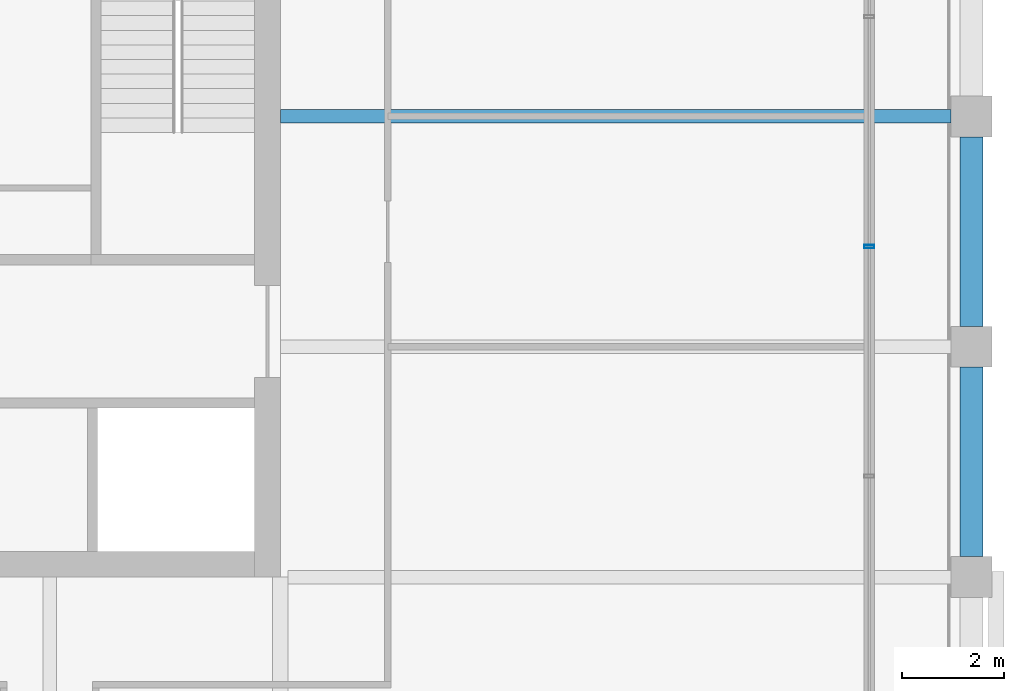
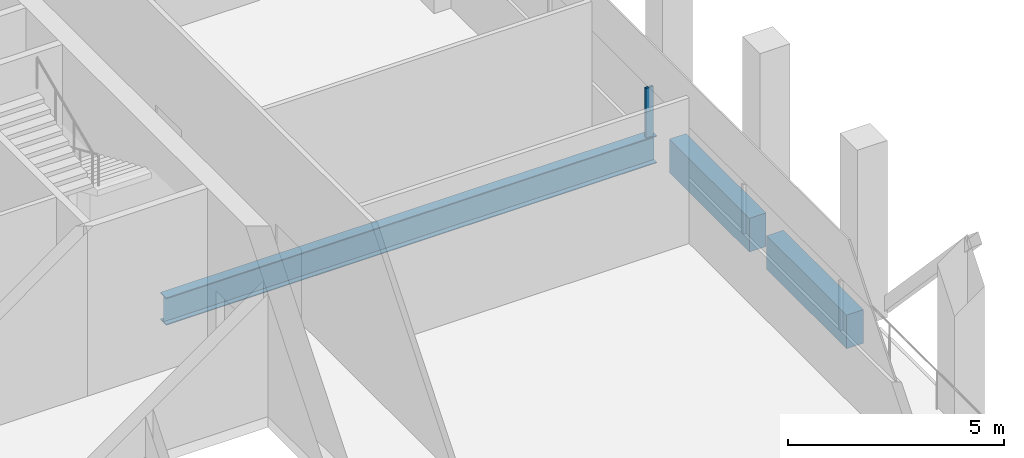
# One storey, part 10 of 21: 3 beams, 1 member, 1 element without a shape of its own.
"""IFC4 building model written with IfcOpenShell, lengths in metres."""

from ifc_helpers import new_model, si_unit, direction, frame, origin, origin_2d, place, context, subcontext, project, spatial, rectangle, hollow_rectangle, i_section, extrude, material, material_profile, profile_set, type_object, element, aggregate, save


model = new_model("IFC4")

# Units and contexts
model_context = context("Model", 3, precision=1e-05, world=origin(), true_north=direction((0.0, 1.0)))
body_context = subcontext(model_context, "Body", "Model", "MODEL_VIEW")
ifc_project = project(units=[si_unit("LENGTHUNIT", "METRE"), si_unit("AREAUNIT", "SQUARE_METRE"), si_unit("VOLUMEUNIT", "CUBIC_METRE"), si_unit("PLANEANGLEUNIT", "RADIAN"), si_unit("MASSUNIT", "GRAM", prefix="KILO")], contexts=[model_context])

# Site, building, storey
site_placement = place(None, origin())
site = spatial("IfcSite", under=ifc_project, at=site_placement, CompositionType="ELEMENT")
building_placement = place(site_placement, origin())
building = spatial("IfcBuilding", under=site, at=building_placement, Name="Altepetl Exchange Towers", CompositionType="ELEMENT")
storey_placement = place(building_placement, frame((0.0, 0.0, 246.0)))
storey = spatial("IfcBuildingStorey", under=building, at=storey_placement, Name="L63 Refuge", CompositionType="ELEMENT", Elevation=246.0)

# Beam
ifc_material_1 = material(Name="Steel S355", Category="steel")
ifc_material_profile_1 = material_profile(ifc_material_1, i_section(OverallWidth=0.26806640625, OverallDepth=0.77392578125, WebThickness=0.015380859375, FlangeThickness=0.025390625, at=origin_2d()), Name="W30X132")
ifc_profile_set_1 = profile_set([ifc_material_profile_1], Name="Steel S355")
beam_type_1 = type_object("IfcBeamType", Name="Floor beam W30X132", PredefinedType="BEAM", material=ifc_profile_set_1)
beam_placement = place(storey_placement, frame((58.5, 49.5, -0.5869140625), z_axis=(1.0, 0.0, 0.0), x_axis=(0.0, 1.0, 0.0)))
element("IfcBeam", 1, at=beam_placement, inside=storey, type_object=beam_type_1, Name="bm:A:L63:010", PredefinedType="BEAM", context=body_context, shape_type="SweptSolid", body=[
    extrude(i_section(OverallWidth=0.26806640625, OverallDepth=0.77392578125, WebThickness=0.015380859375, FlangeThickness=0.025390625, at=origin_2d()), origin(), (0.0, 0.0, 1.0), 13.10009765625),
])

# Curtain wall, member
ifc_material_2 = material(Name="Aluminium 6063-T6 glazing", Category="aluminium")
curtain_wall_type = type_object("IfcCurtainWallType", Name="Refuge slit glazing system", PredefinedType="NOTDEFINED", material=ifc_material_2)
curtain_wall_placement = place(storey_placement, origin())
curtain_wall = element("IfcCurtainWall", 2, at=curtain_wall_placement, inside=storey, type_object=curtain_wall_type, Name="CW3 run", PredefinedType="NOTDEFINED")
ifc_material_3 = material(Name="Aluminium 6063-T6", Category="aluminium")
ifc_material_profile_2 = material_profile(ifc_material_3, hollow_rectangle(XDim=0.06005859375, YDim=0.199951171875, WallThickness=0.0029296875, at=origin_2d()), Name="Mullion 60x200 aluminium")
ifc_profile_set_2 = profile_set([ifc_material_profile_2], Name="Aluminium 6063-T6")
member_type = type_object("IfcMemberType", Name="Mullion 60x200 aluminium", PredefinedType="MULLION", material=ifc_profile_set_2)
member_placement = place(storey_placement, frame((70.0, 46.9580078125, 1.800048828125), z_axis=(0.0, 0.0, 1.0), x_axis=(0.0, 1.0, 0.0)))
member = element("IfcMember", 3, at=member_placement, type_object=member_type, Name="MU2 mullion", PredefinedType="MULLION", context=body_context, shape_type="SweptSolid", body=[
    extrude(hollow_rectangle(XDim=0.06005859375, YDim=0.199951171875, WallThickness=0.0029296875, at=origin_2d()), origin(), (0.0, 0.0, 1.0), 1.39990234375),
])
aggregate(curtain_wall, [member])

# Beams
ifc_material_4 = material(Name="Concrete C50/60 precast with cantera amarilla facing", Category="concrete")
ifc_material_profile_3 = material_profile(ifc_material_4, rectangle(XDim=0.449951171875, YDim=0.949951171875, at=origin_2d()), Name="450 x 950")
ifc_profile_set_3 = profile_set([ifc_material_profile_3], Name="Concrete C50/60 precast with cantera amarilla facing")
beam_type_2 = type_object("IfcBeamType", Name="Spandrel beam 450x950 cantera amarilla", PredefinedType="SPANDREL", material=ifc_profile_set_3)
for number, where, z_axis, x_axis, name in (
    (4, (72.0, 40.89990234375, -0.675048828125), (0.0, 1.0, 0.0), (-1.0, 0.0, 0.0), "sp:A:L63:014"),
    (5, (72.0, 45.39990234375, -0.675048828125), (0.0, 1.0, 0.0), (-1.0, 0.0, 0.0), "sp:A:L63:015"),
):
    element("IfcBeam", number, at=place(storey_placement, frame(where, z_axis=z_axis, x_axis=x_axis)), inside=storey, type_object=beam_type_2, Name=name, PredefinedType="SPANDREL", context=body_context, shape_type="SweptSolid", body=[
        extrude(rectangle(XDim=0.449951171875, YDim=0.949951171875, at=origin_2d()), origin(), (0.0, 0.0, 1.0), 3.7001953125),
    ])

save(model, "model.ifc")
